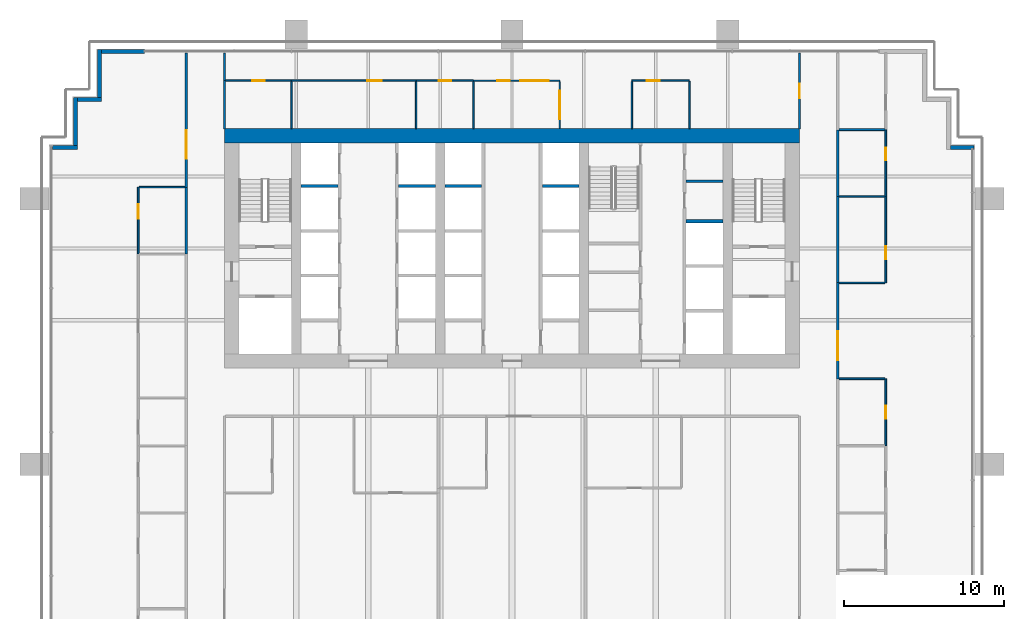
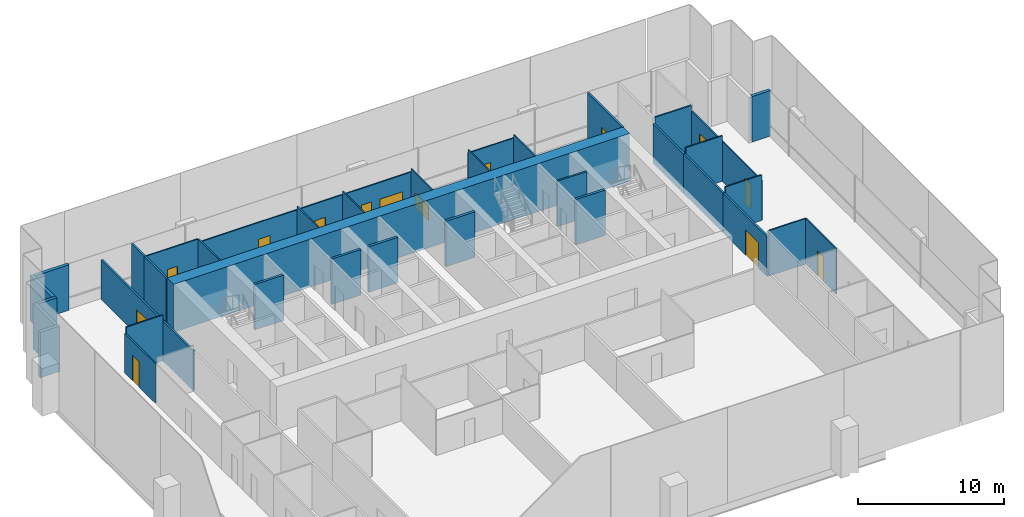
# One storey, part 13 of 17: 41 walls, 12 doors, 2 windows, 14 openings.
"""IFC4 building model written with IfcOpenShell, lengths in metres."""

from ifc_helpers import new_model, si_unit, direction, frame, frame_2d, origin, place, context, subcontext, project, spatial, rectangle, extrude, material, layer, layer_set, type_object, element, fill, save


model = new_model("IFC4")

# Units and contexts
model_context = context("Model", 3, precision=1e-05, world=origin(), true_north=direction((0.0, 1.0)))
body_context = subcontext(model_context, "Body", "Model", "MODEL_VIEW")
ifc_project = project(units=[si_unit("LENGTHUNIT", "METRE"), si_unit("AREAUNIT", "SQUARE_METRE"), si_unit("VOLUMEUNIT", "CUBIC_METRE"), si_unit("PLANEANGLEUNIT", "RADIAN"), si_unit("MASSUNIT", "GRAM", prefix="KILO")], contexts=[model_context])

# Site, building, storey
site_placement = place(None, origin())
site = spatial("IfcSite", under=ifc_project, at=site_placement, CompositionType="ELEMENT")
building_placement = place(site_placement, origin())
building = spatial("IfcBuilding", under=site, at=building_placement, Name="Rattan Terrace Tower", CompositionType="ELEMENT")
storey_placement = place(building_placement, frame((0.0, 0.0, 138.10009765625)))
storey = spatial("IfcBuildingStorey", under=building, at=storey_placement, Name="L31", CompositionType="ELEMENT", Elevation=138.10009765625)

# Walls
ifc_material_1 = material(Name="Gypsum board partition")
ifc_layer_1 = layer(ifc_material_1, 0.14990234375)
ifc_layer_set_1 = layer_set([ifc_layer_1], Name="Core partition 150")
wall_type_1 = type_object("IfcWallType", Name="Core partition 150", PredefinedType="PARTITIONING", material=ifc_layer_set_1)
wall_1_placement = place(storey_placement, frame((10.89990234375, 4.199951171875, 0.0), z_axis=(0.0, 0.0, 1.0), x_axis=(1.0, 0.0, 0.0)))
element("IfcWall", 1, at=wall_1_placement, inside=storey, type_object=wall_type_1, Name="Riser room wall", PredefinedType="PARTITIONING", context=body_context, shape_type="SweptSolid", body=[
    extrude(rectangle(XDim=2.300048828125, YDim=0.14990234375, at=frame_2d((1.14990234375, 0.0))), origin(), (0.0, 0.0, 1.0), 3.7998046875),
])
ifc_material_2 = material(Name="Concrete C60/75", Category="concrete")
ifc_layer_2 = layer(ifc_material_2, 0.89990234375)
ifc_layer_set_2 = layer_set([ifc_layer_2], Name="Core ring wall 900 C60/75")
wall_type_2 = type_object("IfcWallType", Name="Core ring wall 900 C60/75", PredefinedType="SHEAR", material=ifc_layer_set_2)
wall_2_placement = place(storey_placement, frame((-18.0, 7.050048828125, -0.2001953125), z_axis=(0.0, 0.0, 1.0), x_axis=(1.0, 0.0, 0.0)))
element("IfcWall", 2, at=wall_2_placement, inside=storey, type_object=wall_type_2, Name="Rear core wall north", PredefinedType="SHEAR", context=body_context, shape_type="SweptSolid", body=[
    extrude(rectangle(XDim=36.0, YDim=0.89990234375, at=frame_2d((18.0, 0.0))), origin(), (0.0, 0.0, 1.0), 4.0),
])
ifc_material_3 = material(Name="Insulated aluminium-clad stud wall", Category="aluminium")
ifc_layer_3 = layer(ifc_material_3, 0.25)
ifc_layer_set_3 = layer_set([ifc_layer_3], Name="Facade Riser Wall 250")
wall_type_3 = type_object("IfcWallType", Name="Facade Riser Wall 250", PredefinedType="SOLIDWALL", material=ifc_layer_set_3)
wall_3_placement = place(storey_placement, frame((28.909912109375, 6.330078125, 0.0), z_axis=(0.0, 0.0, 1.0), x_axis=(-1.0, 0.0, 0.0)))
element("IfcWall", 3, at=wall_3_placement, inside=storey, type_object=wall_type_3, Name="Riser wall L31-6", PredefinedType="SOLIDWALL", context=body_context, shape_type="SweptSolid", body=[
    extrude(rectangle(XDim=1.454833984375, YDim=0.25, at=frame_2d((0.7275390625, 0.0))), origin(), (0.0, 0.0, 1.0), 3.7998046875),
])
wall_4_placement = place(storey_placement, frame((-23.0, 12.330078125, 0.0), z_axis=(0.0, 0.0, 1.0), x_axis=(-1.0, 0.0, 0.0)))
element("IfcWall", 4, at=wall_4_placement, inside=storey, type_object=wall_type_3, Name="Riser wall L31-11", PredefinedType="SOLIDWALL", context=body_context, shape_type="SweptSolid", body=[
    extrude(rectangle(XDim=2.705078125, YDim=0.25, at=frame_2d((1.3525390625, 0.0))), origin(), (0.0, 0.0, 1.0), 3.7998046875),
])
wall_5_placement = place(storey_placement, frame((-25.830078125, 12.455078125, 0.0), z_axis=(0.0, 0.0, 1.0), x_axis=(0.0, -1.0, 0.0)))
element("IfcWall", 5, at=wall_5_placement, inside=storey, type_object=wall_type_3, Name="Riser wall L31-12", PredefinedType="SOLIDWALL", context=body_context, shape_type="SweptSolid", body=[
    extrude(rectangle(XDim=3.0, YDim=0.25, at=frame_2d((1.5, 0.0))), origin(), (0.0, 0.0, 1.0), 3.7998046875),
])
wall_6_placement = place(storey_placement, frame((-25.705078125, 9.330078125, 0.0), z_axis=(0.0, 0.0, 1.0), x_axis=(-1.0, 0.0, 0.0)))
element("IfcWall", 6, at=wall_6_placement, inside=storey, type_object=wall_type_3, Name="Riser wall L31-13", PredefinedType="SOLIDWALL", context=body_context, shape_type="SweptSolid", body=[
    extrude(rectangle(XDim=1.5, YDim=0.25, at=frame_2d((0.75, 0.0))), origin(), (0.0, 0.0, 1.0), 3.7998046875),
])
wall_7_placement = place(storey_placement, frame((-27.330078125, 9.455078125, 0.0), z_axis=(0.0, 0.0, 1.0), x_axis=(0.0, -1.0, 0.0)))
element("IfcWall", 7, at=wall_7_placement, inside=storey, type_object=wall_type_3, Name="Riser wall L31-14", PredefinedType="SOLIDWALL", context=body_context, shape_type="SweptSolid", body=[
    extrude(rectangle(XDim=3.0, YDim=0.25, at=frame_2d((1.5, 0.0))), origin(), (0.0, 0.0, 1.0), 3.7998046875),
])
wall_8_placement = place(storey_placement, frame((-27.205078125, 6.330078125, 0.0), z_axis=(0.0, 0.0, 1.0), x_axis=(-1.0, 0.0, 0.0)))
element("IfcWall", 8, at=wall_8_placement, inside=storey, type_object=wall_type_3, Name="Riser wall L31-15", PredefinedType="SOLIDWALL", context=body_context, shape_type="SweptSolid", body=[
    extrude(rectangle(XDim=1.544921875, YDim=0.25, at=frame_2d((0.7724609375, 0.0))), origin(), (0.0, 0.0, 1.0), 3.7998046875),
])

# Wall, opening, door
ifc_material_4 = material(Name="Gypsum board partition on steel studs", Category="steel")
ifc_layer_4 = layer(ifc_material_4, 0.10009765625)
ifc_layer_set_4 = layer_set([ifc_layer_4], Name="Floors Partition 100")
wall_type_4 = type_object("IfcWallType", Name="Floors Partition 100", PredefinedType="PARTITIONING", material=ifc_layer_set_4)
wall_9_placement = place(storey_placement, frame((-23.39990234375, 3.840087890625, 0.0), z_axis=(0.0, 0.0, 1.0), x_axis=(0.0, -1.0, 0.0)))
wall_9 = element("IfcWall", 9, at=wall_9_placement, inside=storey, type_object=wall_type_4, Name="pt-L31-037", PredefinedType="PARTITIONING", context=body_context, shape_type="SweptSolid", body=[
    extrude(rectangle(XDim=4.18017578125, YDim=0.10009765625, at=frame_2d((2.090087890625, 0.0))), origin(), (0.0, 0.0, 1.0), 3.2998046875),
])
opening_1_placement = place(wall_9_placement, frame((1.083984375, 0.0, 0.0)))
opening_1 = element("IfcOpeningElement", 10, at=opening_1_placement, cuts=wall_9, Name="Opening L31-D107", PredefinedType="OPENING", context=body_context, shape_type="SweptSolid", body=[
    extrude(rectangle(XDim=0.89990234375, YDim=2.10009765625, at=frame_2d((0.449951171875, 1.050048828125))), frame((0.0, 0.060546875, 0.0), z_axis=(0.0, -1.0, 0.0), x_axis=(1.0, 0.0, 0.0)), (0.0, 0.0, 1.0), 0.12109375),
])
ifc_material_5 = material(Name="Solid core timber door, painted", Category="wood")
door_type_1 = type_object("IfcDoorType", Name="Floors Door 900x2100", OperationType="NOTDEFINED", PredefinedType="DOOR", material=ifc_material_5)
door_1_placement = place(opening_1_placement, origin())
door_1 = element("IfcDoor", 11, at=door_1_placement, inside=storey, type_object=door_type_1, Name="d-L31-107", OperationType="SINGLE_SWING_LEFT", OverallHeight=2.10009765625, OverallWidth=0.89990234375, PredefinedType="DOOR", context=body_context, shape_type="SweptSolid", body=[
    extrude(rectangle(XDim=0.89990234375, YDim=2.10009765625, at=frame_2d((0.449951171875, 1.050048828125))), frame((0.0, 0.02490234375, 0.0), z_axis=(0.0, -1.0, 0.0), x_axis=(1.0, 0.0, 0.0)), (0.0, 0.0, 1.0), 0.050048828125),
])
fill(opening_1, door_1)

# Walls
for number, where, z_axis, x_axis, name in (
    (12, (-20.47509765625, 3.840087890625, 0.0), (0.0, 0.0, 1.0), (-1.0, 0.0, 0.0), "pt-L31-038"),
    (13, (23.35009765625, -8.159912109375, 0.0), (0.0, 0.0, 1.0), (-1.0, 0.0, 0.0), "pt-L31-049"),
):
    element("IfcWall", number, at=place(storey_placement, frame(where, z_axis=z_axis, x_axis=x_axis)), inside=storey, type_object=wall_type_4, Name=name, PredefinedType="PARTITIONING", context=body_context, shape_type="SweptSolid", body=[
        extrude(rectangle(XDim=2.875, YDim=0.10009765625, at=frame_2d((1.4375, 0.0))), origin(), (0.0, 0.0, 1.0), 3.7998046875),
    ])

# Wall, opening, door
wall_10_placement = place(storey_placement, frame((23.39990234375, -12.340087890625, 0.0), z_axis=(0.0, 0.0, 1.0), x_axis=(0.0, 1.0, 0.0)))
wall_10 = element("IfcWall", 14, at=wall_10_placement, inside=storey, type_object=wall_type_4, Name="pt-L31-050", PredefinedType="PARTITIONING", context=body_context, shape_type="SweptSolid", body=[
    extrude(rectangle(XDim=4.18017578125, YDim=0.10009765625, at=frame_2d((2.090087890625, 0.0))), origin(), (0.0, 0.0, 1.0), 3.7998046875),
])
opening_2_placement = place(wall_10_placement, frame((1.68994140625, 0.0, 0.0)))
opening_2 = element("IfcOpeningElement", 15, at=opening_2_placement, cuts=wall_10, Name="Opening L31-D113", PredefinedType="OPENING", context=body_context, shape_type="SweptSolid", body=[
    extrude(rectangle(XDim=0.800048828125, YDim=2.10009765625, at=frame_2d((0.39990234375, 1.050048828125))), frame((0.0, 0.060546875, 0.0), z_axis=(0.0, -1.0, 0.0), x_axis=(1.0, 0.0, 0.0)), (0.0, 0.0, 1.0), 0.12109375),
])
ifc_material_6 = material(Name="Solid core timber door, painted", Category="wood")
door_type_2 = type_object("IfcDoorType", Name="Floors Store Door 800x2100", OperationType="NOTDEFINED", PredefinedType="DOOR", material=ifc_material_6)
door_2_placement = place(opening_2_placement, origin())
door_2 = element("IfcDoor", 16, at=door_2_placement, inside=storey, type_object=door_type_2, Name="d-L31-113", OperationType="SINGLE_SWING_RIGHT", OverallHeight=2.10009765625, OverallWidth=0.800048828125, PredefinedType="DOOR", context=body_context, shape_type="SweptSolid", body=[
    extrude(rectangle(XDim=0.800048828125, YDim=2.10009765625, at=frame_2d((0.39990234375, 1.050048828125))), frame((0.0, 0.02490234375, 0.0), z_axis=(0.0, -1.0, 0.0), x_axis=(1.0, 0.0, 0.0)), (0.0, 0.0, 1.0), 0.050048828125),
])
fill(opening_2, door_2)

# Wall
wall_11_placement = place(storey_placement, frame((20.47509765625, -2.159912109375, 0.0), z_axis=(0.0, 0.0, 1.0), x_axis=(1.0, 0.0, 0.0)))
element("IfcWall", 17, at=wall_11_placement, inside=storey, type_object=wall_type_4, Name="pt-L31-051", PredefinedType="PARTITIONING", context=body_context, shape_type="SweptSolid", body=[
    extrude(rectangle(XDim=2.875, YDim=0.10009765625, at=frame_2d((1.4375, 0.0))), origin(), (0.0, 0.0, 1.0), 3.7998046875),
])

# Wall, opening, door
wall_12_placement = place(storey_placement, frame((23.39990234375, -2.159912109375, 0.0), z_axis=(0.0, 0.0, 1.0), x_axis=(0.0, 1.0, 0.0)))
wall_12 = element("IfcWall", 18, at=wall_12_placement, inside=storey, type_object=wall_type_4, Name="pt-L31-052", PredefinedType="PARTITIONING", context=body_context, shape_type="SweptSolid", body=[
    extrude(rectangle(XDim=5.419921875, YDim=0.10009765625, at=frame_2d((2.7099609375, 0.0))), origin(), (0.0, 0.0, 1.0), 3.2998046875),
])
opening_3_placement = place(wall_12_placement, frame((1.486083984375, 0.0, 0.0)))
opening_3 = element("IfcOpeningElement", 19, at=opening_3_placement, cuts=wall_12, Name="Opening L31-D114", PredefinedType="OPENING", context=body_context, shape_type="SweptSolid", body=[
    extrude(rectangle(XDim=0.800048828125, YDim=2.10009765625, at=frame_2d((0.39990234375, 1.050048828125))), frame((0.0, 0.060546875, 0.0), z_axis=(0.0, -1.0, 0.0), x_axis=(1.0, 0.0, 0.0)), (0.0, 0.0, 1.0), 0.12109375),
])
door_3_placement = place(opening_3_placement, origin())
door_3 = element("IfcDoor", 20, at=door_3_placement, inside=storey, type_object=door_type_2, Name="d-L31-114", OperationType="SINGLE_SWING_LEFT", OverallHeight=2.10009765625, OverallWidth=0.800048828125, PredefinedType="DOOR", context=body_context, shape_type="SweptSolid", body=[
    extrude(rectangle(XDim=0.800048828125, YDim=2.10009765625, at=frame_2d((0.39990234375, 1.050048828125))), frame((0.0, 0.02490234375, 0.0), z_axis=(0.0, -1.0, 0.0), x_axis=(1.0, 0.0, 0.0)), (0.0, 0.0, 1.0), 0.050048828125),
])
fill(opening_3, door_3)

wall_13_placement = place(storey_placement, frame((23.39990234375, 3.260009765625, 0.0), z_axis=(0.0, 0.0, 1.0), x_axis=(0.0, 1.0, 0.0)))
wall_13 = element("IfcWall", 21, at=wall_13_placement, inside=storey, type_object=wall_type_4, Name="pt-L31-053", PredefinedType="PARTITIONING", context=body_context, shape_type="SweptSolid", body=[
    extrude(rectangle(XDim=4.159912109375, YDim=0.10009765625, at=frame_2d((2.080078125, 0.0))), origin(), (0.0, 0.0, 1.0), 3.2998046875),
])
opening_4_placement = place(wall_13_placement, frame((2.251953125, 0.0, 0.0)))
opening_4 = element("IfcOpeningElement", 22, at=opening_4_placement, cuts=wall_13, Name="Opening L31-D115", PredefinedType="OPENING", context=body_context, shape_type="SweptSolid", body=[
    extrude(rectangle(XDim=0.800048828125, YDim=2.10009765625, at=frame_2d((0.39990234375, 1.050048828125))), frame((0.0, 0.060546875, 0.0), z_axis=(0.0, -1.0, 0.0), x_axis=(1.0, 0.0, 0.0)), (0.0, 0.0, 1.0), 0.12109375),
])
door_4_placement = place(opening_4_placement, origin())
door_4 = element("IfcDoor", 23, at=door_4_placement, inside=storey, type_object=door_type_2, Name="d-L31-115", OperationType="SINGLE_SWING_RIGHT", OverallHeight=2.10009765625, OverallWidth=0.800048828125, PredefinedType="DOOR", context=body_context, shape_type="SweptSolid", body=[
    extrude(rectangle(XDim=0.800048828125, YDim=2.10009765625, at=frame_2d((0.39990234375, 1.050048828125))), frame((0.0, 0.02490234375, 0.0), z_axis=(0.0, -1.0, 0.0), x_axis=(1.0, 0.0, 0.0)), (0.0, 0.0, 1.0), 0.050048828125),
])
fill(opening_4, door_4)

# Wall
wall_14_placement = place(storey_placement, frame((20.47509765625, 3.239990234375, 0.0), z_axis=(0.0, 0.0, 1.0), x_axis=(1.0, 0.0, 0.0)))
element("IfcWall", 24, at=wall_14_placement, inside=storey, type_object=wall_type_4, Name="pt-L31-059", PredefinedType="PARTITIONING", context=body_context, shape_type="SweptSolid", body=[
    extrude(rectangle(XDim=2.875, YDim=0.10009765625, at=frame_2d((1.4375, 0.0))), origin(), (0.0, 0.0, 1.0), 3.7998046875),
])

# Wall, opening, door
wall_15_placement = place(storey_placement, frame((-13.820068359375, 10.5, 0.0), z_axis=(0.0, 0.0, 1.0), x_axis=(-1.0, 0.0, 0.0)))
wall_15 = element("IfcWall", 25, at=wall_15_placement, inside=storey, type_object=wall_type_4, Name="pt-L31-061", PredefinedType="PARTITIONING", context=body_context, shape_type="SweptSolid", body=[
    extrude(rectangle(XDim=4.10498046875, YDim=0.10009765625, at=frame_2d((2.052490234375, 0.0))), origin(), (0.0, 0.0, 1.0), 3.7998046875),
])
opening_5_placement = place(wall_15_placement, frame((1.653076171875, 0.0, 0.0)))
opening_5 = element("IfcOpeningElement", 26, at=opening_5_placement, cuts=wall_15, Name="Opening L31-D118", PredefinedType="OPENING", context=body_context, shape_type="SweptSolid", body=[
    extrude(rectangle(XDim=0.800048828125, YDim=2.10009765625, at=frame_2d((0.39990234375, 1.050048828125))), frame((0.0, 0.060546875, 0.0), z_axis=(0.0, -1.0, 0.0), x_axis=(1.0, 0.0, 0.0)), (0.0, 0.0, 1.0), 0.12109375),
])
door_5_placement = place(opening_5_placement, origin())
door_5 = element("IfcDoor", 27, at=door_5_placement, inside=storey, type_object=door_type_2, Name="d-L31-118", OperationType="SINGLE_SWING_LEFT", OverallHeight=2.10009765625, OverallWidth=0.800048828125, PredefinedType="DOOR", context=body_context, shape_type="SweptSolid", body=[
    extrude(rectangle(XDim=0.800048828125, YDim=2.10009765625, at=frame_2d((0.39990234375, 1.050048828125))), frame((0.0, 0.02490234375, 0.0), z_axis=(0.0, -1.0, 0.0), x_axis=(1.0, 0.0, 0.0)), (0.0, 0.0, 1.0), 0.050048828125),
])
fill(opening_5, door_5)

wall_16_placement = place(storey_placement, frame((-5.97998046875, 10.5, 0.0), z_axis=(0.0, 0.0, 1.0), x_axis=(-1.0, 0.0, 0.0)))
wall_16 = element("IfcWall", 28, at=wall_16_placement, inside=storey, type_object=wall_type_4, Name="pt-L31-062", PredefinedType="PARTITIONING", context=body_context, shape_type="SweptSolid", body=[
    extrude(rectangle(XDim=7.840087890625, YDim=0.10009765625, at=frame_2d((3.919921875, 0.0))), origin(), (0.0, 0.0, 1.0), 3.5),
])
opening_6_placement = place(wall_16_placement, frame((2.181884765625, 0.0, 0.0)))
opening_6 = element("IfcOpeningElement", 29, at=opening_6_placement, cuts=wall_16, Name="Opening L31-D119", PredefinedType="OPENING", context=body_context, shape_type="SweptSolid", body=[
    extrude(rectangle(XDim=0.89990234375, YDim=2.10009765625, at=frame_2d((0.449951171875, 1.050048828125))), frame((0.0, 0.060546875, 0.0), z_axis=(0.0, -1.0, 0.0), x_axis=(1.0, 0.0, 0.0)), (0.0, 0.0, 1.0), 0.12109375),
])
door_6_placement = place(opening_6_placement, origin())
door_6 = element("IfcDoor", 30, at=door_6_placement, inside=storey, type_object=door_type_1, Name="d-L31-119", OperationType="SINGLE_SWING_LEFT", OverallHeight=2.10009765625, OverallWidth=0.89990234375, PredefinedType="DOOR", context=body_context, shape_type="SweptSolid", body=[
    extrude(rectangle(XDim=0.89990234375, YDim=2.10009765625, at=frame_2d((0.449951171875, 1.050048828125))), frame((0.0, 0.02490234375, 0.0), z_axis=(0.0, -1.0, 0.0), x_axis=(1.0, 0.0, 0.0)), (0.0, 0.0, 1.0), 0.050048828125),
])
fill(opening_6, door_6)

wall_17_placement = place(storey_placement, frame((-2.419921875, 10.5, 0.0), z_axis=(0.0, 0.0, 1.0), x_axis=(-1.0, 0.0, 0.0)))
wall_17 = element("IfcWall", 31, at=wall_17_placement, inside=storey, type_object=wall_type_4, Name="pt-L31-063", PredefinedType="PARTITIONING", context=body_context, shape_type="SweptSolid", body=[
    extrude(rectangle(XDim=3.56005859375, YDim=0.10009765625, at=frame_2d((1.780029296875, 0.0))), origin(), (0.0, 0.0, 1.0), 3.5),
])
opening_7_placement = place(wall_17_placement, frame((1.3798828125, 0.0, 0.0)))
opening_7 = element("IfcOpeningElement", 32, at=opening_7_placement, cuts=wall_17, Name="Opening L31-D120", PredefinedType="OPENING", context=body_context, shape_type="SweptSolid", body=[
    extrude(rectangle(XDim=0.800048828125, YDim=2.10009765625, at=frame_2d((0.39990234375, 1.050048828125))), frame((0.0, 0.060546875, 0.0), z_axis=(0.0, -1.0, 0.0), x_axis=(1.0, 0.0, 0.0)), (0.0, 0.0, 1.0), 0.12109375),
])
door_7_placement = place(opening_7_placement, origin())
door_7 = element("IfcDoor", 33, at=door_7_placement, inside=storey, type_object=door_type_2, Name="d-L31-120", OperationType="SINGLE_SWING_LEFT", OverallHeight=2.10009765625, OverallWidth=0.800048828125, PredefinedType="DOOR", context=body_context, shape_type="SweptSolid", body=[
    extrude(rectangle(XDim=0.800048828125, YDim=2.10009765625, at=frame_2d((0.39990234375, 1.050048828125))), frame((0.0, 0.02490234375, 0.0), z_axis=(0.0, -1.0, 0.0), x_axis=(1.0, 0.0, 0.0)), (0.0, 0.0, 1.0), 0.050048828125),
])
fill(opening_7, door_7)

# Wall, openings, door, window
wall_18_placement = place(storey_placement, frame((3.0, 10.5, 0.0), z_axis=(0.0, 0.0, 1.0), x_axis=(-1.0, 0.0, 0.0)))
wall_18 = element("IfcWall", 34, at=wall_18_placement, inside=storey, type_object=wall_type_4, Name="pt-L31-064", PredefinedType="PARTITIONING", context=body_context, shape_type="SweptSolid", body=[
    extrude(rectangle(XDim=5.419921875, YDim=0.10009765625, at=frame_2d((2.7099609375, 0.0))), origin(), (0.0, 0.0, 1.0), 3.5),
])
opening_8_placement = place(wall_18_placement, frame((3.134033203125, 0.0, 0.0)))
opening_8 = element("IfcOpeningElement", 35, at=opening_8_placement, cuts=wall_18, Name="Opening L31-D121", PredefinedType="OPENING", context=body_context, shape_type="SweptSolid", body=[
    extrude(rectangle(XDim=0.800048828125, YDim=2.10009765625, at=frame_2d((0.39990234375, 1.050048828125))), frame((0.0, 0.060546875, 0.0), z_axis=(0.0, -1.0, 0.0), x_axis=(1.0, 0.0, 0.0)), (0.0, 0.0, 1.0), 0.12109375),
])
opening_9_placement = place(wall_18_placement, frame((0.69189453125, 0.0, 0.89990234375)))
opening_9 = element("IfcOpeningElement", 36, at=opening_9_placement, cuts=wall_18, Name="Opening L31-W104", PredefinedType="OPENING", context=body_context, shape_type="SweptSolid", body=[
    extrude(rectangle(XDim=1.800048828125, YDim=1.199951171875, at=frame_2d((0.89990234375, 0.60009765625))), frame((0.0, 0.060546875, 0.0), z_axis=(0.0, -1.0, 0.0), x_axis=(1.0, 0.0, 0.0)), (0.0, 0.0, 1.0), 0.12109375),
])
door_8_placement = place(opening_8_placement, origin())
door_8 = element("IfcDoor", 37, at=door_8_placement, inside=storey, type_object=door_type_2, Name="d-L31-121", OperationType="SINGLE_SWING_RIGHT", OverallHeight=2.10009765625, OverallWidth=0.800048828125, PredefinedType="DOOR", context=body_context, shape_type="SweptSolid", body=[
    extrude(rectangle(XDim=0.800048828125, YDim=2.10009765625, at=frame_2d((0.39990234375, 1.050048828125))), frame((0.0, 0.02490234375, 0.0), z_axis=(0.0, -1.0, 0.0), x_axis=(1.0, 0.0, 0.0)), (0.0, 0.0, 1.0), 0.050048828125),
])
fill(opening_8, door_8)
ifc_material_7 = material(Name="Glass, clear, fixed in aluminium frame", Category="aluminium")
window_type = type_object("IfcWindowType", Name="Interior Vision Window 1800x1200", PartitioningType="SINGLE_PANEL", PredefinedType="WINDOW", material=ifc_material_7)
window_1_placement = place(opening_9_placement, origin())
window_1 = element("IfcWindow", 38, at=window_1_placement, inside=storey, type_object=window_type, Name="w-L31-104", OverallHeight=1.199951171875, OverallWidth=1.800048828125, PartitioningType="SINGLE_PANEL", PredefinedType="WINDOW", context=body_context, shape_type="SweptSolid", body=[
    extrude(rectangle(XDim=1.800048828125, YDim=1.199951171875, at=frame_2d((0.89990234375, 0.60009765625))), frame((0.0, 0.030029296875, 0.0), z_axis=(0.0, -1.0, 0.0), x_axis=(1.0, 0.0, 0.0)), (0.0, 0.0, 1.0), 0.06005859375),
])
fill(opening_9, window_1)

# Wall, opening, window
wall_19_placement = place(storey_placement, frame((3.0, 7.5, 0.0), z_axis=(0.0, 0.0, 1.0), x_axis=(0.0, 1.0, 0.0)))
wall_19 = element("IfcWall", 39, at=wall_19_placement, inside=storey, type_object=wall_type_4, Name="pt-L31-065", PredefinedType="PARTITIONING", context=body_context, shape_type="SweptSolid", body=[
    extrude(rectangle(XDim=2.949951171875, YDim=0.10009765625, at=frame_2d((1.47509765625, 0.0))), origin(), (0.0, 0.0, 1.0), 3.7998046875),
])
opening_10_placement = place(wall_19_placement, frame((0.574951171875, 0.0, 0.89990234375)))
opening_10 = element("IfcOpeningElement", 40, at=opening_10_placement, cuts=wall_19, Name="Opening L31-W105", PredefinedType="OPENING", context=body_context, shape_type="SweptSolid", body=[
    extrude(rectangle(XDim=1.800048828125, YDim=1.199951171875, at=frame_2d((0.89990234375, 0.60009765625))), frame((0.0, 0.060546875, 0.0), z_axis=(0.0, -1.0, 0.0), x_axis=(1.0, 0.0, 0.0)), (0.0, 0.0, 1.0), 0.12109375),
])
window_2_placement = place(opening_10_placement, origin())
window_2 = element("IfcWindow", 41, at=window_2_placement, inside=storey, type_object=window_type, Name="w-L31-105", OverallHeight=1.199951171875, OverallWidth=1.800048828125, PartitioningType="SINGLE_PANEL", PredefinedType="WINDOW", context=body_context, shape_type="SweptSolid", body=[
    extrude(rectangle(XDim=1.800048828125, YDim=1.199951171875, at=frame_2d((0.89990234375, 0.60009765625))), frame((0.0, 0.030029296875, 0.0), z_axis=(0.0, -1.0, 0.0), x_axis=(1.0, 0.0, 0.0)), (0.0, 0.0, 1.0), 0.06005859375),
])
fill(opening_10, window_2)

# Wall
wall_20_placement = place(storey_placement, frame((7.5, 10.449951171875, 0.0), z_axis=(0.0, 0.0, 1.0), x_axis=(0.0, -1.0, 0.0)))
element("IfcWall", 42, at=wall_20_placement, inside=storey, type_object=wall_type_4, Name="pt-L31-066", PredefinedType="PARTITIONING", context=body_context, shape_type="SweptSolid", body=[
    extrude(rectangle(XDim=2.949951171875, YDim=0.10009765625, at=frame_2d((1.47509765625, 0.0))), origin(), (0.0, 0.0, 1.0), 3.7998046875),
])

# Wall, opening, door
wall_21_placement = place(storey_placement, frame((11.10009765625, 10.5, 0.0), z_axis=(0.0, 0.0, 1.0), x_axis=(-1.0, 0.0, 0.0)))
wall_21 = element("IfcWall", 43, at=wall_21_placement, inside=storey, type_object=wall_type_4, Name="pt-L31-067", PredefinedType="PARTITIONING", context=body_context, shape_type="SweptSolid", body=[
    extrude(rectangle(XDim=3.60009765625, YDim=0.10009765625, at=frame_2d((1.800048828125, 0.0))), origin(), (0.0, 0.0, 1.0), 3.5),
])
opening_11_placement = place(wall_21_placement, frame((1.860107421875, 0.0, 0.0)))
opening_11 = element("IfcOpeningElement", 44, at=opening_11_placement, cuts=wall_21, Name="Opening L31-D122", PredefinedType="OPENING", context=body_context, shape_type="SweptSolid", body=[
    extrude(rectangle(XDim=0.800048828125, YDim=2.10009765625, at=frame_2d((0.39990234375, 1.050048828125))), frame((0.0, 0.060546875, 0.0), z_axis=(0.0, -1.0, 0.0), x_axis=(1.0, 0.0, 0.0)), (0.0, 0.0, 1.0), 0.12109375),
])
door_9_placement = place(opening_11_placement, origin())
door_9 = element("IfcDoor", 45, at=door_9_placement, inside=storey, type_object=door_type_2, Name="d-L31-122", OperationType="SINGLE_SWING_RIGHT", OverallHeight=2.10009765625, OverallWidth=0.800048828125, PredefinedType="DOOR", context=body_context, shape_type="SweptSolid", body=[
    extrude(rectangle(XDim=0.800048828125, YDim=2.10009765625, at=frame_2d((0.39990234375, 1.050048828125))), frame((0.0, 0.02490234375, 0.0), z_axis=(0.0, -1.0, 0.0), x_axis=(1.0, 0.0, 0.0)), (0.0, 0.0, 1.0), 0.050048828125),
])
fill(opening_11, door_9)

# Walls
for number, where, z_axis, x_axis, name in (
    (46, (11.10009765625, 7.5, 0.0), (0.0, 0.0, 1.0), (0.0, 1.0, 0.0), "pt-L31-068"),
    (47, (-13.800048828125, 10.449951171875, 0.0), (0.0, 0.0, 1.0), (0.0, -1.0, 0.0), "pt-L31-069"),
    (48, (-6.0, 10.449951171875, 0.0), (0.0, 0.0, 1.0), (0.0, -1.0, 0.0), "pt-L31-070"),
    (49, (-2.39990234375, 10.449951171875, 0.0), (0.0, 0.0, 1.0), (0.0, -1.0, 0.0), "pt-L31-071"),
):
    element("IfcWall", number, at=place(storey_placement, frame(where, z_axis=z_axis, x_axis=x_axis)), inside=storey, type_object=wall_type_4, Name=name, PredefinedType="PARTITIONING", context=body_context, shape_type="SweptSolid", body=[
        extrude(rectangle(XDim=2.949951171875, YDim=0.10009765625, at=frame_2d((1.47509765625, 0.0))), origin(), (0.0, 0.0, 1.0), 3.7998046875),
    ])

# Wall, opening, door
ifc_material_8 = material(Name="Gypsum board partition on steel studs, fire rated", Category="steel")
ifc_layer_5 = layer(ifc_material_8, 0.14990234375)
ifc_layer_set_5 = layer_set([ifc_layer_5], Name="Floors Tenancy Wall 150")
wall_type_5 = type_object("IfcWallType", Name="Floors Tenancy Wall 150", PredefinedType="PARTITIONING", material=ifc_layer_set_5)
wall_22_placement = place(storey_placement, frame((-20.39990234375, 3.820068359375, 0.0), z_axis=(0.0, 0.0, 1.0), x_axis=(0.0, 1.0, 0.0)))
wall_22 = element("IfcWall", 50, at=wall_22_placement, inside=storey, type_object=wall_type_5, Name="pt-L31-001", PredefinedType="PARTITIONING", context=body_context, shape_type="SweptSolid", body=[
    extrude(rectangle(XDim=8.419921875, YDim=0.14990234375, at=frame_2d((4.2099609375, 0.0))), origin(), (0.0, 0.0, 1.0), 3.2998046875),
])
opening_12_placement = place(wall_22_placement, frame((1.780029296875, 0.0, 0.0)))
opening_12 = element("IfcOpeningElement", 51, at=opening_12_placement, cuts=wall_22, Name="Opening L31-D100", PredefinedType="OPENING", context=body_context, shape_type="SweptSolid", body=[
    extrude(rectangle(XDim=1.800048828125, YDim=2.10009765625, at=frame_2d((0.89990234375, 1.050048828125))), frame((0.0, 0.08544921875, 0.0), z_axis=(0.0, -1.0, 0.0), x_axis=(1.0, 0.0, 0.0)), (0.0, 0.0, 1.0), 0.1708984375),
])
ifc_material_9 = material(Name="Steel fire door set", Category="steel")
door_type_3 = type_object("IfcDoorType", Name="Floors Fire Door Pair FD30S 1800x2100", OperationType="NOTDEFINED", PredefinedType="DOOR", material=ifc_material_9)
door_10_placement = place(opening_12_placement, origin())
door_10 = element("IfcDoor", 52, at=door_10_placement, inside=storey, type_object=door_type_3, Name="d-L31-100", OperationType="DOUBLE_DOOR_SINGLE_SWING", OverallHeight=2.10009765625, OverallWidth=1.800048828125, PredefinedType="DOOR", context=body_context, shape_type="SweptSolid", body=[
    extrude(rectangle(XDim=1.800048828125, YDim=2.10009765625, at=frame_2d((0.89990234375, 1.050048828125))), frame((0.0, 0.02490234375, 0.0), z_axis=(0.0, -1.0, 0.0), x_axis=(1.0, 0.0, 0.0)), (0.0, 0.0, 1.0), 0.050048828125),
])
fill(opening_12, door_10)

# Wall
wall_23_placement = place(storey_placement, frame((-20.39990234375, -0.340087890625, 0.0), z_axis=(0.0, 0.0, 1.0), x_axis=(0.0, 1.0, 0.0)))
element("IfcWall", 53, at=wall_23_placement, inside=storey, type_object=wall_type_5, Name="pt-L31-008", PredefinedType="PARTITIONING", context=body_context, shape_type="SweptSolid", body=[
    extrude(rectangle(XDim=4.16015625, YDim=0.14990234375, at=frame_2d((2.080078125, 0.0))), origin(), (0.0, 0.0, 1.0), 3.2998046875),
])

# Wall, opening, door
wall_24_placement = place(storey_placement, frame((20.39990234375, -2.139892578125, 0.0), z_axis=(0.0, 0.0, 1.0), x_axis=(0.0, -1.0, 0.0)))
wall_24 = element("IfcWall", 54, at=wall_24_placement, inside=storey, type_object=wall_type_5, Name="pt-L31-009", PredefinedType="PARTITIONING", context=body_context, shape_type="SweptSolid", body=[
    extrude(rectangle(XDim=6.0400390625, YDim=0.14990234375, at=frame_2d((3.02001953125, 0.0))), origin(), (0.0, 0.0, 1.0), 3.2998046875),
])
opening_13_placement = place(wall_24_placement, frame((3.054931640625, 0.0, 0.0)))
opening_13 = element("IfcOpeningElement", 55, at=opening_13_placement, cuts=wall_24, Name="Opening L31-D108", PredefinedType="OPENING", context=body_context, shape_type="SweptSolid", body=[
    extrude(rectangle(XDim=1.800048828125, YDim=2.10009765625, at=frame_2d((0.89990234375, 1.050048828125))), frame((0.0, 0.08544921875, 0.0), z_axis=(0.0, -1.0, 0.0), x_axis=(1.0, 0.0, 0.0)), (0.0, 0.0, 1.0), 0.1708984375),
])
door_11_placement = place(opening_13_placement, origin())
door_11 = element("IfcDoor", 56, at=door_11_placement, inside=storey, type_object=door_type_3, Name="d-L31-108", OperationType="DOUBLE_DOOR_SINGLE_SWING", OverallHeight=2.10009765625, OverallWidth=1.800048828125, PredefinedType="DOOR", context=body_context, shape_type="SweptSolid", body=[
    extrude(rectangle(XDim=1.800048828125, YDim=2.10009765625, at=frame_2d((0.89990234375, 1.050048828125))), frame((0.0, 0.02490234375, 0.0), z_axis=(0.0, -1.0, 0.0), x_axis=(1.0, 0.0, 0.0)), (0.0, 0.0, 1.0), 0.050048828125),
])
fill(opening_13, door_11)

# Walls
wall_25_placement = place(storey_placement, frame((20.39990234375, 3.260009765625, 0.0), z_axis=(0.0, 0.0, 1.0), x_axis=(0.0, -1.0, 0.0)))
element("IfcWall", 57, at=wall_25_placement, inside=storey, type_object=wall_type_5, Name="pt-L31-015", PredefinedType="PARTITIONING", context=body_context, shape_type="SweptSolid", body=[
    extrude(rectangle(XDim=5.39990234375, YDim=0.14990234375, at=frame_2d((2.699951171875, 0.0))), origin(), (0.0, 0.0, 1.0), 3.2998046875),
])
wall_26_placement = place(storey_placement, frame((20.39990234375, 7.419921875, 0.0), z_axis=(0.0, 0.0, 1.0), x_axis=(0.0, -1.0, 0.0)))
element("IfcWall", 58, at=wall_26_placement, inside=storey, type_object=wall_type_5, Name="pt-L31-016", PredefinedType="PARTITIONING", context=body_context, shape_type="SweptSolid", body=[
    extrude(rectangle(XDim=4.159912109375, YDim=0.14990234375, at=frame_2d((2.080078125, 0.0))), origin(), (0.0, 0.0, 1.0), 3.2998046875),
])
wall_27_placement = place(storey_placement, frame((-18.0, 12.239990234375, 0.0), z_axis=(0.0, 0.0, 1.0), x_axis=(0.0, -1.0, 0.0)))
element("IfcWall", 59, at=wall_27_placement, inside=storey, type_object=wall_type_5, Name="pt-L31-018", PredefinedType="PARTITIONING", context=body_context, shape_type="SweptSolid", body=[
    extrude(rectangle(XDim=1.719970703125, YDim=0.14990234375, at=frame_2d((0.85986328125, 0.0))), origin(), (0.0, 0.0, 1.0), 3.7998046875),
])

# Wall, opening, door
wall_28_placement = place(storey_placement, frame((18.0, 7.47998046875, 0.0), z_axis=(0.0, 0.0, 1.0), x_axis=(0.0, 1.0, 0.0)))
wall_28 = element("IfcWall", 60, at=wall_28_placement, inside=storey, type_object=wall_type_5, Name="pt-L31-019", PredefinedType="PARTITIONING", context=body_context, shape_type="SweptSolid", body=[
    extrude(rectangle(XDim=4.760009765625, YDim=0.14990234375, at=frame_2d((2.3798828125, 0.0))), origin(), (0.0, 0.0, 1.0), 3.7998046875),
])
opening_14_placement = place(wall_28_placement, frame((1.929931640625, 0.0, 0.0)))
opening_14 = element("IfcOpeningElement", 61, at=opening_14_placement, cuts=wall_28, Name="Opening L31-D117", PredefinedType="OPENING", context=body_context, shape_type="SweptSolid", body=[
    extrude(rectangle(XDim=0.89990234375, YDim=2.10009765625, at=frame_2d((0.449951171875, 1.050048828125))), frame((0.0, 0.08544921875, 0.0), z_axis=(0.0, -1.0, 0.0), x_axis=(1.0, 0.0, 0.0)), (0.0, 0.0, 1.0), 0.1708984375),
])
ifc_material_10 = material(Name="Steel fire door set", Category="steel")
door_type_4 = type_object("IfcDoorType", Name="Floors Fire Door FD30S 900x2100", OperationType="NOTDEFINED", PredefinedType="DOOR", material=ifc_material_10)
door_12_placement = place(opening_14_placement, origin())
door_12 = element("IfcDoor", 62, at=door_12_placement, inside=storey, type_object=door_type_4, Name="d-L31-117", OperationType="SINGLE_SWING_RIGHT", OverallHeight=2.10009765625, OverallWidth=0.89990234375, PredefinedType="DOOR", context=body_context, shape_type="SweptSolid", body=[
    extrude(rectangle(XDim=0.89990234375, YDim=2.10009765625, at=frame_2d((0.449951171875, 1.050048828125))), frame((0.0, 0.02490234375, 0.0), z_axis=(0.0, -1.0, 0.0), x_axis=(1.0, 0.0, 0.0)), (0.0, 0.0, 1.0), 0.050048828125),
])
fill(opening_14, door_12)

# Walls
wall_29_placement = place(storey_placement, frame((-18.0, 10.52001953125, 0.0), z_axis=(0.0, 0.0, 1.0), x_axis=(0.0, -1.0, 0.0)))
element("IfcWall", 63, at=wall_29_placement, inside=storey, type_object=wall_type_5, Name="pt-L31-020", PredefinedType="PARTITIONING", context=body_context, shape_type="SweptSolid", body=[
    extrude(rectangle(XDim=3.0400390625, YDim=0.14990234375, at=frame_2d((1.52001953125, 0.0))), origin(), (0.0, 0.0, 1.0), 3.7998046875),
])
ifc_material_11 = material(Name="Moisture resistant gypsum board partition on steel studs with service cavity", Category="steel")
ifc_layer_6 = layer(ifc_material_11, 0.1201171875)
ifc_layer_set_6 = layer_set([ifc_layer_6], Name="Floors Wet Wall 120")
wall_type_6 = type_object("IfcWallType", Name="Floors Wet Wall 120", PredefinedType="PARTITIONING", material=ifc_layer_set_6)
wall_30_placement = place(storey_placement, frame((20.47509765625, 7.43994140625, 0.0), z_axis=(0.0, 0.0, 1.0), x_axis=(1.0, 0.0, 0.0)))
element("IfcWall", 64, at=wall_30_placement, inside=storey, type_object=wall_type_6, Name="pt-L31-060", PredefinedType="PARTITIONING", context=body_context, shape_type="SweptSolid", body=[
    extrude(rectangle(XDim=2.864990234375, YDim=0.1201171875, at=frame_2d((1.4326171875, 0.0))), origin(), (0.0, 0.0, 1.0), 3.7998046875),
])
ifc_material_12 = material(Name="Gypsum shaft wall system")
ifc_layer_7 = layer(ifc_material_12, 0.199951171875)
ifc_layer_set_7 = layer_set([ifc_layer_7], Name="Lift shaft wall 200")
wall_type_7 = type_object("IfcWallType", Name="Lift shaft wall 200", PredefinedType="PARTITIONING", material=ifc_layer_set_7)
for number, where, z_axis, x_axis, name in (
    (65, (-13.199951171875, 3.89990234375, 0.0), (0.0, 0.0, 1.0), (1.0, 0.0, 0.0), "Lift shaft wall"),
    (66, (-7.10009765625, 3.89990234375, 0.0), (0.0, 0.0, 1.0), (1.0, 0.0, 0.0), "Lift shaft wall"),
    (67, (-4.199951171875, 3.89990234375, 0.0), (0.0, 0.0, 1.0), (1.0, 0.0, 0.0), "Lift shaft wall"),
    (68, (1.89990234375, 3.89990234375, 0.0), (0.0, 0.0, 1.0), (1.0, 0.0, 0.0), "Lift shaft wall"),
    (69, (10.89990234375, 1.699951171875, 0.0), (0.0, 0.0, 1.0), (1.0, 0.0, 0.0), "Lift shaft wall"),
):
    element("IfcWall", number, at=place(storey_placement, frame(where, z_axis=z_axis, x_axis=x_axis)), inside=storey, type_object=wall_type_7, Name=name, PredefinedType="PARTITIONING", context=body_context, shape_type="SweptSolid", body=[
        extrude(rectangle(XDim=2.300048828125, YDim=0.199951171875, at=frame_2d((1.14990234375, 0.0))), origin(), (0.0, 0.0, 1.0), 3.7998046875),
    ])

save(model, "model.ifc")
